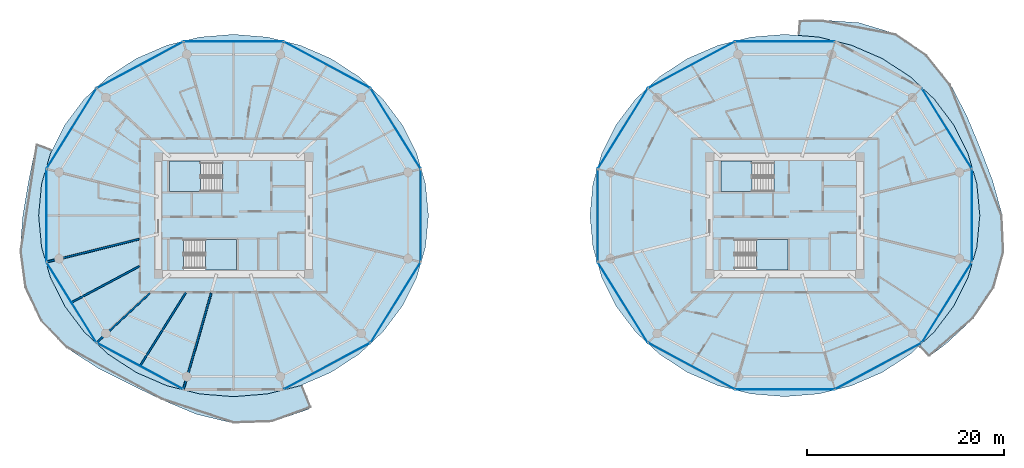
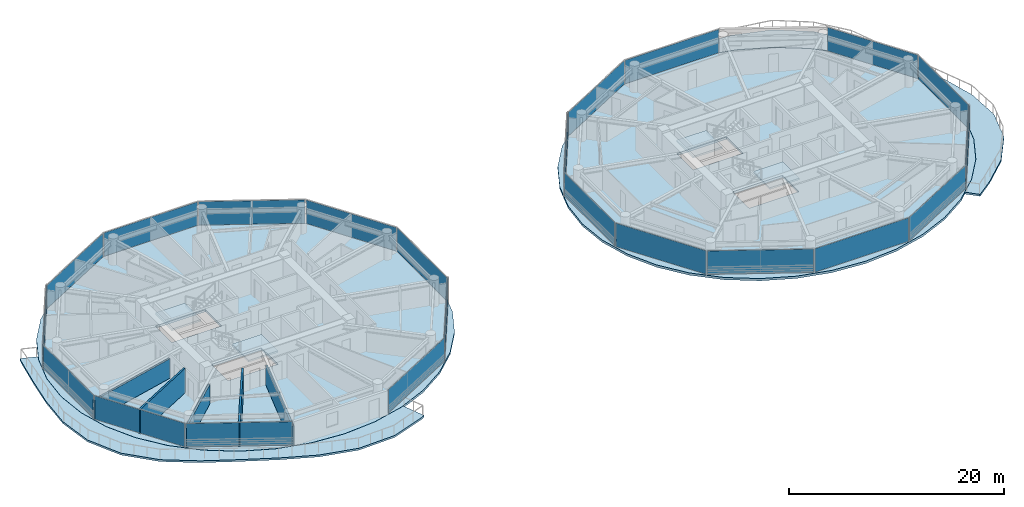
# One storey, part 14 of 27: 22 plates, 8 slabs, 5 walls, 26 elements without a shape of their own.
"""IFC4 building model written with IfcOpenShell, lengths in metres."""

from ifc_helpers import new_model, si_unit, direction, frame, frame_2d, origin, origin_2d, place, context, subcontext, project, spatial, polyline, rectangle, outline, extrude, source, transform, mapped, material, layer, layer_set, type_object, type_shapes, element, aggregate, save


model = new_model("IFC4")

# Units and contexts
model_context = context("Model", 3, precision=1e-05, world=origin(), true_north=direction((0.0, 1.0)))
body_context = subcontext(model_context, "Body", "Model", "MODEL_VIEW")
ifc_project = project(units=[si_unit("LENGTHUNIT", "METRE"), si_unit("AREAUNIT", "SQUARE_METRE"), si_unit("VOLUMEUNIT", "CUBIC_METRE"), si_unit("PLANEANGLEUNIT", "RADIAN"), si_unit("MASSUNIT", "GRAM", prefix="KILO")], contexts=[model_context])

# Site, building, storey
site_placement = place(None, origin())
site = spatial("IfcSite", under=ifc_project, at=site_placement, CompositionType="ELEMENT")
building_placement = place(site_placement, origin())
building = spatial("IfcBuilding", under=site, at=building_placement, Name="Norrkilde Senior Care Towers", CompositionType="ELEMENT")
storey_placement = place(building_placement, frame((0.0, 0.0, 46.0)))
storey = spatial("IfcBuildingStorey", under=building, at=storey_placement, Name="L13", CompositionType="ELEMENT", Elevation=46.0)

# Slabs
ifc_material_1 = material(Name="Concrete C50/60", Category="concrete")
ifc_layer_1 = layer(ifc_material_1, 0.215087890625)
ifc_layer_set_1 = layer_set([ifc_layer_1], Name="Concrete C50/60")
slab_type_1 = type_object("IfcSlabType", Name="Sinusoidal Balcony Ribbon Slab 215", PredefinedType="FLOOR", material=ifc_layer_set_1)
slab_1_placement = place(storey_placement, frame((0.0, 0.0, -0.215087890625)))
element("IfcSlab", 1, at=slab_1_placement, inside=storey, type_object=slab_type_1, Name="L13 Drum W Swirling Senior Balcony 1", PredefinedType="FLOOR", context=body_context, shape_type="SweptSolid", body=[
    extrude(outline(polyline([(-24.093994140625, -20.974853515625), (-28.0, -21.100830078125), (-31.777587890625, -20.19091796875), (-35.257080078125, -18.724853515625), (-38.546142578125, -17.139404296875), (-41.81005859375, -15.484130859375), (-44.96044921875, -13.446044921875), (-47.578369140625, -10.71044921875), (-49.196533203125, -7.307861328125), (-49.69287109375, -3.611328125), (-49.406494140625, 0.0), (-48.825927734375, 3.44677734375), (-48.140380859375, 6.89404296875), (-48.027587890625, 7.270751953125), (-46.414794921875, 6.685302734375), (-46.610595703125, 6.294921875), (-47.504150390625, 3.196044921875), (-47.804931640625, 0.0), (-47.504150390625, -3.196044921875), (-46.610595703125, -6.294921875), (-45.151611328125, -9.202392578125), (-43.171630859375, -11.83056640625), (-40.73046875, -14.09912109375), (-37.902587890625, -15.939208984375), (-34.773681640625, -17.294921875), (-31.439208984375, -18.12548828125), (-28.0, -18.405029296875), (-24.560791015625, -18.12548828125), (-21.226318359375, -17.294921875), (-21.016845703125, -17.204345703125), (-20.0927734375, -19.4814453125), (-20.41552734375, -19.6923828125), (-24.093994140625, -20.974853515625)])), origin(), (0.0, 0.0, 1.0), 0.215087890625),
])
slab_2_placement = place(storey_placement, frame((0.0, 0.0, -0.215087890625)))
element("IfcSlab", 2, at=slab_2_placement, inside=storey, type_object=slab_type_1, Name="L13 Drum E Swirling Senior Balcony 1", PredefinedType="FLOOR", context=body_context, shape_type="SweptSolid", body=[
    extrude(outline(polyline([(47.15576171875, -10.44775390625), (44.43994140625, -12.97607421875), (42.644775390625, -14.342041015625), (41.585205078125, -13.3046875), (43.171630859375, -11.83056640625), (45.151611328125, -9.202392578125), (46.610595703125, -6.294921875), (47.504150390625, -3.196044921875), (47.804931640625, 0.0), (47.504150390625, 3.196044921875), (46.610595703125, 6.294921875), (45.151611328125, 9.202392578125), (43.171630859375, 11.83056640625), (40.73046875, 14.09912109375), (37.902587890625, 15.939208984375), (34.773681640625, 17.294921875), (31.439208984375, 18.12548828125), (29.352783203125, 18.294921875), (29.464111328125, 19.802978515625), (31.722900390625, 19.8583984375), (35.5458984375, 19.578369140625), (39.253173828125, 18.456787109375), (42.43798828125, 16.289306640625), (44.824951171875, 13.32373046875), (46.51171875, 10.0478515625), (47.86328125, 6.78564453125), (49.1181640625, 3.502197265625), (50.086181640625, 0.0), (50.25927734375, -3.71875), (49.253662109375, -7.330078125), (47.15576171875, -10.44775390625)])), origin(), (0.0, 0.0, 1.0), 0.215087890625),
])

# Stair, slab
ifc_material_2 = material(Name="Concrete C45/55", Category="concrete")
stair_type = type_object("IfcStairType", Name="Core Protected Dogleg Stair Typical 3050", PredefinedType="HALF_TURN_STAIR", material=ifc_material_2)
stair_1_placement = place(storey_placement, origin())
stair_1 = element("IfcStair", 3, at=stair_1_placement, inside=storey, type_object=stair_type, Name="L13 Protected Core Stair W1", PredefinedType="HALF_TURN_STAIR")
ifc_layer_2 = layer(ifc_material_2, 0.199951171875)
ifc_layer_set_2 = layer_set([ifc_layer_2], Name="Concrete C45/55")
slab_type_2 = type_object("IfcSlabType", Name="Stair Landing Slab 200", PredefinedType="LANDING", material=ifc_layer_set_2)
slab_3_placement = place(storey_placement, frame((0.0, 0.0, 1.324951171875)))
slab_3 = element("IfcSlab", 4, at=slab_3_placement, type_object=slab_type_2, Name="ST-W1 landing 1", PredefinedType="LANDING", context=body_context, shape_type="SweptSolid", body=[
    extrude(outline(polyline([(-31.340087890625, 5.52490234375), (-34.5, 5.52490234375), (-34.5, 2.449951171875), (-31.340087890625, 2.449951171875), (-31.340087890625, 5.52490234375)])), origin(), (0.0, 0.0, 1.0), 0.199951171875),
])
aggregate(stair_1, [slab_3])

stair_2_placement = place(storey_placement, origin())
stair_2 = element("IfcStair", 5, at=stair_2_placement, inside=storey, type_object=stair_type, Name="L13 Protected Core Stair W2", PredefinedType="HALF_TURN_STAIR")
slab_4_placement = place(storey_placement, frame((0.0, 0.0, 1.324951171875)))
slab_4 = element("IfcSlab", 6, at=slab_4_placement, type_object=slab_type_2, Name="ST-W2 landing 1", PredefinedType="LANDING", context=body_context, shape_type="SweptSolid", body=[
    extrude(outline(polyline([(-30.860107421875, -5.52490234375), (-27.699951171875, -5.52490234375), (-27.699951171875, -2.449951171875), (-30.860107421875, -2.449951171875), (-30.860107421875, -5.52490234375)])), origin(), (0.0, 0.0, 1.0), 0.199951171875),
])
aggregate(stair_2, [slab_4])

stair_3_placement = place(storey_placement, origin())
stair_3 = element("IfcStair", 7, at=stair_3_placement, inside=storey, type_object=stair_type, Name="L13 Protected Core Stair E1", PredefinedType="HALF_TURN_STAIR")
slab_5_placement = place(storey_placement, frame((0.0, 0.0, 1.324951171875)))
slab_5 = element("IfcSlab", 8, at=slab_5_placement, type_object=slab_type_2, Name="ST-E1 landing 1", PredefinedType="LANDING", context=body_context, shape_type="SweptSolid", body=[
    extrude(outline(polyline([(24.659912109375, 5.52490234375), (21.5, 5.52490234375), (21.5, 2.449951171875), (24.659912109375, 2.449951171875), (24.659912109375, 5.52490234375)])), origin(), (0.0, 0.0, 1.0), 0.199951171875),
])
aggregate(stair_3, [slab_5])

stair_4_placement = place(storey_placement, origin())
stair_4 = element("IfcStair", 9, at=stair_4_placement, inside=storey, type_object=stair_type, Name="L13 Protected Core Stair E2", PredefinedType="HALF_TURN_STAIR")
slab_6_placement = place(storey_placement, frame((0.0, 0.0, 1.324951171875)))
slab_6 = element("IfcSlab", 10, at=slab_6_placement, type_object=slab_type_2, Name="ST-E2 landing 1", PredefinedType="LANDING", context=body_context, shape_type="SweptSolid", body=[
    extrude(outline(polyline([(25.139892578125, -5.52490234375), (28.300048828125, -5.52490234375), (28.300048828125, -2.449951171875), (25.139892578125, -2.449951171875), (25.139892578125, -5.52490234375)])), origin(), (0.0, 0.0, 1.0), 0.199951171875),
])
aggregate(stair_4, [slab_6])

# Slabs
ifc_layer_3 = layer(ifc_material_1, 0.260009765625)
ifc_layer_set_3 = layer_set([ifc_layer_3], Name="Concrete C50/60")
slab_type_3 = type_object("IfcSlabType", Name="Tower Care Floor Slab 260", PredefinedType="FLOOR", material=ifc_layer_set_3)
slab_7_placement = place(storey_placement, frame((0.0, 0.0, -0.260009765625)))
element("IfcSlab", 11, at=slab_7_placement, inside=storey, type_object=slab_type_3, Name="L13 Drum W Structural Floor Slab", PredefinedType="FLOOR", context=body_context, shape_type="SweptSolid", body=[
    extrude(outline(polyline([(-9.39404296875, -6.293212890625), (-10.852783203125, -9.199951171875), (-12.832275390625, -11.827392578125), (-15.272705078125, -14.09521484375), (-18.10009765625, -15.934814453125), (-21.22802734375, -17.290283203125), (-24.561767578125, -18.120361328125), (-28.0, -18.39990234375), (-31.438232421875, -18.120361328125), (-34.77197265625, -17.290283203125), (-37.89990234375, -15.934814453125), (-40.727294921875, -14.09521484375), (-43.167724609375, -11.827392578125), (-45.147216796875, -9.199951171875), (-46.60595703125, -6.293212890625), (-47.499267578125, -3.195068359375), (-47.800048828125, 0.0), (-47.499267578125, 3.195068359375), (-46.60595703125, 6.293212890625), (-45.147216796875, 9.199951171875), (-43.167724609375, 11.827392578125), (-40.727294921875, 14.09521484375), (-37.89990234375, 15.934814453125), (-34.77197265625, 17.290283203125), (-31.438232421875, 18.120361328125), (-28.0, 18.39990234375), (-24.561767578125, 18.120361328125), (-21.22802734375, 17.290283203125), (-18.10009765625, 15.934814453125), (-15.272705078125, 14.09521484375), (-12.832275390625, 11.827392578125), (-10.852783203125, 9.199951171875), (-9.39404296875, 6.293212890625), (-8.500732421875, 3.195068359375), (-8.199951171875, 0.0), (-8.500732421875, -3.195068359375), (-9.39404296875, -6.293212890625)]), holes=[polyline([(-34.48193359375, 2.468017578125), (-29.117919921875, 2.468017578125), (-29.117919921875, 5.52490234375), (-34.48193359375, 5.52490234375), (-34.48193359375, 2.468017578125)]), polyline([(-27.718017578125, -5.52490234375), (-27.718017578125, -2.468017578125), (-33.08203125, -2.468017578125), (-33.08203125, -5.52490234375), (-27.718017578125, -5.52490234375)])]), origin(), (0.0, 0.0, 1.0), 0.260009765625),
])
slab_8_placement = place(storey_placement, frame((0.0, 0.0, -0.260009765625)))
element("IfcSlab", 12, at=slab_8_placement, inside=storey, type_object=slab_type_3, Name="L13 Drum E Structural Floor Slab", PredefinedType="FLOOR", context=body_context, shape_type="SweptSolid", body=[
    extrude(outline(polyline([(46.60595703125, -6.293212890625), (45.147216796875, -9.199951171875), (43.167724609375, -11.827392578125), (40.727294921875, -14.09521484375), (37.89990234375, -15.934814453125), (34.77197265625, -17.290283203125), (31.438232421875, -18.120361328125), (28.0, -18.39990234375), (24.561767578125, -18.120361328125), (21.22802734375, -17.290283203125), (18.10009765625, -15.934814453125), (15.272705078125, -14.09521484375), (12.832275390625, -11.827392578125), (10.852783203125, -9.199951171875), (9.39404296875, -6.293212890625), (8.500732421875, -3.195068359375), (8.199951171875, 0.0), (8.500732421875, 3.195068359375), (9.39404296875, 6.293212890625), (10.852783203125, 9.199951171875), (12.832275390625, 11.827392578125), (15.272705078125, 14.09521484375), (18.10009765625, 15.934814453125), (21.22802734375, 17.290283203125), (24.561767578125, 18.120361328125), (28.0, 18.39990234375), (31.438232421875, 18.120361328125), (34.77197265625, 17.290283203125), (37.89990234375, 15.934814453125), (40.727294921875, 14.09521484375), (43.167724609375, 11.827392578125), (45.147216796875, 9.199951171875), (46.60595703125, 6.293212890625), (47.499267578125, 3.195068359375), (47.800048828125, 0.0), (47.499267578125, -3.195068359375), (46.60595703125, -6.293212890625)]), holes=[polyline([(21.51806640625, 2.468017578125), (26.882080078125, 2.468017578125), (26.882080078125, 5.52490234375), (21.51806640625, 5.52490234375), (21.51806640625, 2.468017578125)]), polyline([(28.281982421875, -5.52490234375), (28.281982421875, -2.468017578125), (22.91796875, -2.468017578125), (22.91796875, -5.52490234375), (28.281982421875, -5.52490234375)])]), origin(), (0.0, 0.0, 1.0), 0.260009765625),
])

# Curtain wall, plate
ifc_material_3 = material(Name="Triple Low-E Insulated Glazing", Category="glass")
ifc_layer_4 = layer(ifc_material_3, 0.199951171875)
ifc_layer_set_4 = layer_set([ifc_layer_4], Name="Triple Low-E Insulated Glazing")
curtain_wall_type = type_object("IfcCurtainWallType", Name="CW2 Zone 1 Memory Care Curtain Wall", PredefinedType="NOTDEFINED", material=ifc_layer_set_4)
curtain_wall_1_placement = place(storey_placement, origin())
curtain_wall_1 = element("IfcCurtainWall", 13, at=curtain_wall_1_placement, inside=storey, type_object=curtain_wall_type, Name="L13 Drum W Curtain Wall 00", PredefinedType="NOTDEFINED")
ifc_layer_5 = layer(ifc_material_3, 0.035888671875)
ifc_layer_set_5 = layer_set([ifc_layer_5], Name="Triple Low-E Insulated Glazing")
plate_type = type_object("IfcPlateType", Name="Triple Low-E Vision Curtain Panel 36", PredefinedType="CURTAIN_PANEL", material=ifc_layer_set_5)
shared_shape_1 = source(origin(), body_context, "Body", "SweptSolid", [
    extrude(rectangle(XDim=9.518798828125, YDim=0.035888671875, at=origin_2d()), origin(), (0.0, 0.0, 1.0), 2.669921875),
])
plate_1_placement = place(storey_placement, frame((-11.537353515625, 8.82861328125, 0.06005859375), z_axis=(0.0, 0.0, 1.0), x_axis=(0.527900951871, -0.849305943117, 0.0)))
plate_1 = element("IfcPlate", 14, at=plate_1_placement, type_object=plate_type, Name="CW-2 panel 1.1", PredefinedType="CURTAIN_PANEL", context=body_context, shape_type="MappedRepresentation", body=[
    mapped(shared_shape_1, transform((0.0, 0.0, 0.0), x_axis=(1.0, 0.0, 0.0), y_axis=(0.0, 1.0, 0.0), z_axis=(0.0, 0.0, 1.0), scale=1.0)),
])
aggregate(curtain_wall_1, [plate_1])

curtain_wall_2_placement = place(storey_placement, origin())
curtain_wall_2 = element("IfcCurtainWall", 15, at=curtain_wall_2_placement, inside=storey, type_object=curtain_wall_type, Name="L13 Drum W Curtain Wall 04", PredefinedType="NOTDEFINED")
plate_2_placement = place(storey_placement, frame((-44.462646484375, 8.82861328125, 0.06005859375), z_axis=(0.0, 0.0, 1.0), x_axis=(0.527900951871, 0.849305943117, 0.0)))
plate_2 = element("IfcPlate", 16, at=plate_2_placement, type_object=plate_type, Name="CW-2 panel 1.1", PredefinedType="CURTAIN_PANEL", context=body_context, shape_type="MappedRepresentation", body=[
    mapped(shared_shape_1, transform((0.0, 0.0, 0.0), x_axis=(1.0, 0.0, 0.0), y_axis=(0.0, 1.0, 0.0), z_axis=(0.0, 0.0, 1.0), scale=1.0)),
])
aggregate(curtain_wall_2, [plate_2])

curtain_wall_3_placement = place(storey_placement, origin())
curtain_wall_3 = element("IfcCurtainWall", 17, at=curtain_wall_3_placement, inside=storey, type_object=curtain_wall_type, Name="L13 Drum W Curtain Wall 06", PredefinedType="NOTDEFINED")
plate_3_placement = place(storey_placement, frame((-44.462646484375, -8.82861328125, 0.06005859375), z_axis=(0.0, 0.0, 1.0), x_axis=(-0.527900951871, 0.849305943117, 0.0)))
plate_3 = element("IfcPlate", 18, at=plate_3_placement, type_object=plate_type, Name="CW-2 panel 1.1", PredefinedType="CURTAIN_PANEL", context=body_context, shape_type="MappedRepresentation", body=[
    mapped(shared_shape_1, transform((0.0, 0.0, 0.0), x_axis=(1.0, 0.0, 0.0), y_axis=(0.0, 1.0, 0.0), z_axis=(0.0, 0.0, 1.0), scale=1.0)),
])
aggregate(curtain_wall_3, [plate_3])

curtain_wall_4_placement = place(storey_placement, origin())
curtain_wall_4 = element("IfcCurtainWall", 19, at=curtain_wall_4_placement, inside=storey, type_object=curtain_wall_type, Name="L13 Drum W Curtain Wall 10", PredefinedType="NOTDEFINED")
plate_4_placement = place(storey_placement, frame((-11.537353515625, -8.82861328125, 0.06005859375), z_axis=(0.0, 0.0, 1.0), x_axis=(-0.527900951871, -0.849305943117, 0.0)))
plate_4 = element("IfcPlate", 20, at=plate_4_placement, type_object=plate_type, Name="CW-2 panel 1.1", PredefinedType="CURTAIN_PANEL", context=body_context, shape_type="MappedRepresentation", body=[
    mapped(shared_shape_1, transform((0.0, 0.0, 0.0), x_axis=(1.0, 0.0, 0.0), y_axis=(0.0, 1.0, 0.0), z_axis=(0.0, 0.0, 1.0), scale=1.0)),
])
aggregate(curtain_wall_4, [plate_4])

curtain_wall_5_placement = place(storey_placement, origin())
curtain_wall_5 = element("IfcCurtainWall", 21, at=curtain_wall_5_placement, inside=storey, type_object=curtain_wall_type, Name="L13 Drum E Curtain Wall 00", PredefinedType="NOTDEFINED")
plate_5_placement = place(storey_placement, frame((44.462646484375, 8.82861328125, 0.06005859375), z_axis=(0.0, 0.0, 1.0), x_axis=(0.527900951871, -0.849305943117, 0.0)))
plate_5 = element("IfcPlate", 22, at=plate_5_placement, type_object=plate_type, Name="CW-2 panel 1.1", PredefinedType="CURTAIN_PANEL", context=body_context, shape_type="MappedRepresentation", body=[
    mapped(shared_shape_1, transform((0.0, 0.0, 0.0), x_axis=(1.0, 0.0, 0.0), y_axis=(0.0, 1.0, 0.0), z_axis=(0.0, 0.0, 1.0), scale=1.0)),
])
aggregate(curtain_wall_5, [plate_5])

curtain_wall_6_placement = place(storey_placement, origin())
curtain_wall_6 = element("IfcCurtainWall", 23, at=curtain_wall_6_placement, inside=storey, type_object=curtain_wall_type, Name="L13 Drum E Curtain Wall 04", PredefinedType="NOTDEFINED")
plate_6_placement = place(storey_placement, frame((11.537353515625, 8.82861328125, 0.06005859375), z_axis=(0.0, 0.0, 1.0), x_axis=(0.527900951871, 0.849305943117, 0.0)))
plate_6 = element("IfcPlate", 24, at=plate_6_placement, type_object=plate_type, Name="CW-2 panel 1.1", PredefinedType="CURTAIN_PANEL", context=body_context, shape_type="MappedRepresentation", body=[
    mapped(shared_shape_1, transform((0.0, 0.0, 0.0), x_axis=(1.0, 0.0, 0.0), y_axis=(0.0, 1.0, 0.0), z_axis=(0.0, 0.0, 1.0), scale=1.0)),
])
aggregate(curtain_wall_6, [plate_6])

curtain_wall_7_placement = place(storey_placement, origin())
curtain_wall_7 = element("IfcCurtainWall", 25, at=curtain_wall_7_placement, inside=storey, type_object=curtain_wall_type, Name="L13 Drum E Curtain Wall 06", PredefinedType="NOTDEFINED")
plate_7_placement = place(storey_placement, frame((11.537353515625, -8.82861328125, 0.06005859375), z_axis=(0.0, 0.0, 1.0), x_axis=(-0.527900951871, 0.849305943117, 0.0)))
plate_7 = element("IfcPlate", 26, at=plate_7_placement, type_object=plate_type, Name="CW-2 panel 1.1", PredefinedType="CURTAIN_PANEL", context=body_context, shape_type="MappedRepresentation", body=[
    mapped(shared_shape_1, transform((0.0, 0.0, 0.0), x_axis=(1.0, 0.0, 0.0), y_axis=(0.0, 1.0, 0.0), z_axis=(0.0, 0.0, 1.0), scale=1.0)),
])
aggregate(curtain_wall_7, [plate_7])

curtain_wall_8_placement = place(storey_placement, origin())
curtain_wall_8 = element("IfcCurtainWall", 27, at=curtain_wall_8_placement, inside=storey, type_object=curtain_wall_type, Name="L13 Drum E Curtain Wall 10", PredefinedType="NOTDEFINED")
plate_8_placement = place(storey_placement, frame((44.462646484375, -8.82861328125, 0.06005859375), z_axis=(0.0, 0.0, 1.0), x_axis=(-0.527900951871, -0.849305943117, 0.0)))
plate_8 = element("IfcPlate", 28, at=plate_8_placement, type_object=plate_type, Name="CW-2 panel 1.1", PredefinedType="CURTAIN_PANEL", context=body_context, shape_type="MappedRepresentation", body=[
    mapped(shared_shape_1, transform((0.0, 0.0, 0.0), x_axis=(1.0, 0.0, 0.0), y_axis=(0.0, 1.0, 0.0), z_axis=(0.0, 0.0, 1.0), scale=1.0)),
])
aggregate(curtain_wall_8, [plate_8])

curtain_wall_9_placement = place(storey_placement, origin())
curtain_wall_9 = element("IfcCurtainWall", 29, at=curtain_wall_9_placement, inside=storey, type_object=curtain_wall_type, Name="L13 Drum W Curtain Wall 01", PredefinedType="NOTDEFINED")
shared_shape_2 = source(origin(), body_context, "Body", "SweptSolid", [
    extrude(rectangle(XDim=9.880859375, YDim=0.035888671875, at=origin_2d()), origin(), (0.0, 0.0, 1.0), 2.669921875),
])
plate_9_placement = place(storey_placement, frame((-18.495361328125, 15.29150390625, 0.06005859375), z_axis=(0.0, 0.0, 1.0), x_axis=(0.881272866403, -0.472607802456, 0.0)))
plate_9 = element("IfcPlate", 30, at=plate_9_placement, type_object=plate_type, Name="CW-2 panel 1.1", PredefinedType="CURTAIN_PANEL", context=body_context, shape_type="MappedRepresentation", body=[
    mapped(shared_shape_2, transform((0.0, 0.0, 0.0), x_axis=(1.0, 0.0, 0.0), y_axis=(0.0, 1.0, 0.0), z_axis=(0.0, 0.0, 1.0), scale=1.0)),
])
aggregate(curtain_wall_9, [plate_9])

curtain_wall_10_placement = place(storey_placement, origin())
curtain_wall_10 = element("IfcCurtainWall", 31, at=curtain_wall_10_placement, inside=storey, type_object=curtain_wall_type, Name="L13 Drum W Curtain Wall 03", PredefinedType="NOTDEFINED")
plate_10_placement = place(storey_placement, frame((-37.504638671875, 15.29150390625, 0.06005859375), z_axis=(0.0, 0.0, 1.0), x_axis=(0.881272866403, 0.472607802456, 0.0)))
plate_10 = element("IfcPlate", 32, at=plate_10_placement, type_object=plate_type, Name="CW-2 panel 1.1", PredefinedType="CURTAIN_PANEL", context=body_context, shape_type="MappedRepresentation", body=[
    mapped(shared_shape_2, transform((0.0, 0.0, 0.0), x_axis=(1.0, 0.0, 0.0), y_axis=(0.0, 1.0, 0.0), z_axis=(0.0, 0.0, 1.0), scale=1.0)),
])
aggregate(curtain_wall_10, [plate_10])

curtain_wall_11_placement = place(storey_placement, origin())
curtain_wall_11 = element("IfcCurtainWall", 33, at=curtain_wall_11_placement, inside=storey, type_object=curtain_wall_type, Name="L13 Drum W Curtain Wall 07", PredefinedType="NOTDEFINED")
plate_11_placement = place(storey_placement, frame((-37.504638671875, -15.29150390625, 0.06005859375), z_axis=(0.0, 0.0, 1.0), x_axis=(-0.881272866403, 0.472607802456, 0.0)))
plate_11 = element("IfcPlate", 34, at=plate_11_placement, type_object=plate_type, Name="CW-2 panel 1.1", PredefinedType="CURTAIN_PANEL", context=body_context, shape_type="MappedRepresentation", body=[
    mapped(shared_shape_2, transform((0.0, 0.0, 0.0), x_axis=(1.0, 0.0, 0.0), y_axis=(0.0, 1.0, 0.0), z_axis=(0.0, 0.0, 1.0), scale=1.0)),
])
aggregate(curtain_wall_11, [plate_11])

curtain_wall_12_placement = place(storey_placement, origin())
curtain_wall_12 = element("IfcCurtainWall", 35, at=curtain_wall_12_placement, inside=storey, type_object=curtain_wall_type, Name="L13 Drum W Curtain Wall 09", PredefinedType="NOTDEFINED")
plate_12_placement = place(storey_placement, frame((-18.495361328125, -15.29150390625, 0.06005859375), z_axis=(0.0, 0.0, 1.0), x_axis=(-0.881272866403, -0.472607802456, 0.0)))
plate_12 = element("IfcPlate", 36, at=plate_12_placement, type_object=plate_type, Name="CW-2 panel 1.1", PredefinedType="CURTAIN_PANEL", context=body_context, shape_type="MappedRepresentation", body=[
    mapped(shared_shape_2, transform((0.0, 0.0, 0.0), x_axis=(1.0, 0.0, 0.0), y_axis=(0.0, 1.0, 0.0), z_axis=(0.0, 0.0, 1.0), scale=1.0)),
])
aggregate(curtain_wall_12, [plate_12])

curtain_wall_13_placement = place(storey_placement, origin())
curtain_wall_13 = element("IfcCurtainWall", 37, at=curtain_wall_13_placement, inside=storey, type_object=curtain_wall_type, Name="L13 Drum E Curtain Wall 03", PredefinedType="NOTDEFINED")
plate_13_placement = place(storey_placement, frame((18.495361328125, 15.29150390625, 0.06005859375), z_axis=(0.0, 0.0, 1.0), x_axis=(0.881272866403, 0.472607802456, 0.0)))
plate_13 = element("IfcPlate", 38, at=plate_13_placement, type_object=plate_type, Name="CW-2 panel 1.1", PredefinedType="CURTAIN_PANEL", context=body_context, shape_type="MappedRepresentation", body=[
    mapped(shared_shape_2, transform((0.0, 0.0, 0.0), x_axis=(1.0, 0.0, 0.0), y_axis=(0.0, 1.0, 0.0), z_axis=(0.0, 0.0, 1.0), scale=1.0)),
])
aggregate(curtain_wall_13, [plate_13])

curtain_wall_14_placement = place(storey_placement, origin())
curtain_wall_14 = element("IfcCurtainWall", 39, at=curtain_wall_14_placement, inside=storey, type_object=curtain_wall_type, Name="L13 Drum E Curtain Wall 07", PredefinedType="NOTDEFINED")
plate_14_placement = place(storey_placement, frame((18.495361328125, -15.29150390625, 0.06005859375), z_axis=(0.0, 0.0, 1.0), x_axis=(-0.881272866403, 0.472607802456, 0.0)))
plate_14 = element("IfcPlate", 40, at=plate_14_placement, type_object=plate_type, Name="CW-2 panel 1.1", PredefinedType="CURTAIN_PANEL", context=body_context, shape_type="MappedRepresentation", body=[
    mapped(shared_shape_2, transform((0.0, 0.0, 0.0), x_axis=(1.0, 0.0, 0.0), y_axis=(0.0, 1.0, 0.0), z_axis=(0.0, 0.0, 1.0), scale=1.0)),
])
aggregate(curtain_wall_14, [plate_14])

curtain_wall_15_placement = place(storey_placement, origin())
curtain_wall_15 = element("IfcCurtainWall", 41, at=curtain_wall_15_placement, inside=storey, type_object=curtain_wall_type, Name="L13 Drum E Curtain Wall 09", PredefinedType="NOTDEFINED")
plate_15_placement = place(storey_placement, frame((37.504638671875, -15.29150390625, 0.06005859375), z_axis=(0.0, 0.0, 1.0), x_axis=(-0.881272866403, -0.472607802456, 0.0)))
plate_15 = element("IfcPlate", 42, at=plate_15_placement, type_object=plate_type, Name="CW-2 panel 1.1", PredefinedType="CURTAIN_PANEL", context=body_context, shape_type="MappedRepresentation", body=[
    mapped(shared_shape_2, transform((0.0, 0.0, 0.0), x_axis=(1.0, 0.0, 0.0), y_axis=(0.0, 1.0, 0.0), z_axis=(0.0, 0.0, 1.0), scale=1.0)),
])
aggregate(curtain_wall_15, [plate_15])

curtain_wall_16_placement = place(storey_placement, origin())
curtain_wall_16 = element("IfcCurtainWall", 43, at=curtain_wall_16_placement, inside=storey, type_object=curtain_wall_type, Name="L13 Drum W Curtain Wall 05", PredefinedType="NOTDEFINED")
shared_shape_3 = source(origin(), body_context, "Body", "SweptSolid", [
    extrude(rectangle(XDim=9.33251953125, YDim=0.035888671875, at=origin_2d()), origin(), (0.0, 0.0, 1.0), 2.669921875),
])
plate_16_placement = place(storey_placement, frame((-47.009521484375, 0.0, 0.06005859375), z_axis=(0.0, 0.0, 1.0), x_axis=(0.0, 1.0, 0.0)))
plate_16 = element("IfcPlate", 44, at=plate_16_placement, type_object=plate_type, Name="CW-2 panel 1.1", PredefinedType="CURTAIN_PANEL", context=body_context, shape_type="MappedRepresentation", body=[
    mapped(shared_shape_3, transform((0.0, 0.0, 0.0), x_axis=(1.0, 0.0, 0.0), y_axis=(0.0, 1.0, 0.0), z_axis=(0.0, 0.0, 1.0), scale=1.0)),
])
aggregate(curtain_wall_16, [plate_16])

curtain_wall_17_placement = place(storey_placement, origin())
curtain_wall_17 = element("IfcCurtainWall", 45, at=curtain_wall_17_placement, inside=storey, type_object=curtain_wall_type, Name="L13 Drum W Curtain Wall 11", PredefinedType="NOTDEFINED")
plate_17_placement = place(storey_placement, frame((-8.990478515625, 0.0, 0.06005859375), z_axis=(0.0, 0.0, 1.0), x_axis=(0.0, -1.0, 0.0)))
plate_17 = element("IfcPlate", 46, at=plate_17_placement, type_object=plate_type, Name="CW-2 panel 1.1", PredefinedType="CURTAIN_PANEL", context=body_context, shape_type="MappedRepresentation", body=[
    mapped(shared_shape_3, transform((0.0, 0.0, 0.0), x_axis=(1.0, 0.0, 0.0), y_axis=(0.0, 1.0, 0.0), z_axis=(0.0, 0.0, 1.0), scale=1.0)),
])
aggregate(curtain_wall_17, [plate_17])

curtain_wall_18_placement = place(storey_placement, origin())
curtain_wall_18 = element("IfcCurtainWall", 47, at=curtain_wall_18_placement, inside=storey, type_object=curtain_wall_type, Name="L13 Drum E Curtain Wall 05", PredefinedType="NOTDEFINED")
plate_18_placement = place(storey_placement, frame((8.990478515625, 0.0, 0.06005859375), z_axis=(0.0, 0.0, 1.0), x_axis=(0.0, 1.0, 0.0)))
plate_18 = element("IfcPlate", 48, at=plate_18_placement, type_object=plate_type, Name="CW-2 panel 1.1", PredefinedType="CURTAIN_PANEL", context=body_context, shape_type="MappedRepresentation", body=[
    mapped(shared_shape_3, transform((0.0, 0.0, 0.0), x_axis=(1.0, 0.0, 0.0), y_axis=(0.0, 1.0, 0.0), z_axis=(0.0, 0.0, 1.0), scale=1.0)),
])
aggregate(curtain_wall_18, [plate_18])

curtain_wall_19_placement = place(storey_placement, origin())
curtain_wall_19 = element("IfcCurtainWall", 49, at=curtain_wall_19_placement, inside=storey, type_object=curtain_wall_type, Name="L13 Drum E Curtain Wall 11", PredefinedType="NOTDEFINED")
plate_19_placement = place(storey_placement, frame((47.009521484375, 0.0, 0.06005859375), z_axis=(0.0, 0.0, 1.0), x_axis=(0.0, -1.0, 0.0)))
plate_19 = element("IfcPlate", 50, at=plate_19_placement, type_object=plate_type, Name="CW-2 panel 1.1", PredefinedType="CURTAIN_PANEL", context=body_context, shape_type="MappedRepresentation", body=[
    mapped(shared_shape_3, transform((0.0, 0.0, 0.0), x_axis=(1.0, 0.0, 0.0), y_axis=(0.0, 1.0, 0.0), z_axis=(0.0, 0.0, 1.0), scale=1.0)),
])
aggregate(curtain_wall_19, [plate_19])

curtain_wall_20_placement = place(storey_placement, origin())
curtain_wall_20 = element("IfcCurtainWall", 51, at=curtain_wall_20_placement, inside=storey, type_object=curtain_wall_type, Name="L13 Drum W Curtain Wall 02", PredefinedType="NOTDEFINED")
shared_shape_4 = source(origin(), body_context, "Body", "SweptSolid", [
    extrude(rectangle(XDim=10.05712890625, YDim=0.035888671875, at=origin_2d()), origin(), (0.0, 0.0, 1.0), 2.669921875),
])
type_shapes(plate_type, [shared_shape_1, shared_shape_2, shared_shape_3, shared_shape_4])
plate_20_placement = place(storey_placement, frame((-28.0, 17.6572265625, 0.06005859375), z_axis=(0.0, 0.0, 1.0), x_axis=(1.0, 0.0, 0.0)))
plate_20 = element("IfcPlate", 52, at=plate_20_placement, type_object=plate_type, Name="CW-2 panel 1.1", PredefinedType="CURTAIN_PANEL", context=body_context, shape_type="MappedRepresentation", body=[
    mapped(shared_shape_4, transform((0.0, 0.0, 0.0), x_axis=(1.0, 0.0, 0.0), y_axis=(0.0, 1.0, 0.0), z_axis=(0.0, 0.0, 1.0), scale=1.0)),
])
aggregate(curtain_wall_20, [plate_20])

curtain_wall_21_placement = place(storey_placement, origin())
curtain_wall_21 = element("IfcCurtainWall", 53, at=curtain_wall_21_placement, inside=storey, type_object=curtain_wall_type, Name="L13 Drum E Curtain Wall 02", PredefinedType="NOTDEFINED")
plate_21_placement = place(storey_placement, frame((28.0, 17.6572265625, 0.06005859375), z_axis=(0.0, 0.0, 1.0), x_axis=(1.0, 0.0, 0.0)))
plate_21 = element("IfcPlate", 54, at=plate_21_placement, type_object=plate_type, Name="CW-2 panel 1.1", PredefinedType="CURTAIN_PANEL", context=body_context, shape_type="MappedRepresentation", body=[
    mapped(shared_shape_4, transform((0.0, 0.0, 0.0), x_axis=(1.0, 0.0, 0.0), y_axis=(0.0, 1.0, 0.0), z_axis=(0.0, 0.0, 1.0), scale=1.0)),
])
aggregate(curtain_wall_21, [plate_21])

curtain_wall_22_placement = place(storey_placement, origin())
curtain_wall_22 = element("IfcCurtainWall", 55, at=curtain_wall_22_placement, inside=storey, type_object=curtain_wall_type, Name="L13 Drum E Curtain Wall 08", PredefinedType="NOTDEFINED")
plate_22_placement = place(storey_placement, frame((28.0, -17.6572265625, 0.06005859375), z_axis=(0.0, 0.0, 1.0), x_axis=(-1.0, 0.0, 0.0)))
plate_22 = element("IfcPlate", 56, at=plate_22_placement, type_object=plate_type, Name="CW-2 panel 1.1", PredefinedType="CURTAIN_PANEL", context=body_context, shape_type="MappedRepresentation", body=[
    mapped(shared_shape_4, transform((0.0, 0.0, 0.0), x_axis=(1.0, 0.0, 0.0), y_axis=(0.0, 1.0, 0.0), z_axis=(0.0, 0.0, 1.0), scale=1.0)),
])
aggregate(curtain_wall_22, [plate_22])

# Walls
ifc_material_4 = material(Name="Gypsum Acoustic Board")
ifc_layer_6 = layer(ifc_material_4, 0.18994140625)
ifc_layer_set_6 = layer_set([ifc_layer_6], Name="Gypsum Acoustic Board")
wall_type = type_object("IfcWallType", Name="Unit Demising Acoustic Wall 190", PredefinedType="PARTITIONING", material=ifc_layer_set_6)
shared_shape_5 = source(origin(), body_context, "Body", "SweptSolid", [
    extrude(rectangle(XDim=7.4345703125, YDim=0.18994140625, at=frame_2d((3.71728515625, 0.0))), origin(), (0.0, 0.0, 1.0), 2.22509765625),
])
wall_1_placement = place(storey_placement, frame((-36.48291015625, -7.8798828125, 0.0), z_axis=(0.0, 0.0, 1.0), x_axis=(-0.732651956848, -0.680603489652, 0.0)))
element("IfcWall", 57, at=wall_1_placement, inside=storey, type_object=wall_type, Name="WL-INT-L13-W-DEM-07-0", PredefinedType="PARTITIONING", context=body_context, shape_type="MappedRepresentation", body=[
    mapped(shared_shape_5, transform((0.0, 0.0, 0.0), x_axis=(1.0, 0.0, 0.0), y_axis=(0.0, 1.0, 0.0), z_axis=(0.0, 0.0, 1.0), scale=1.0)),
])
shared_shape_6 = source(origin(), body_context, "Body", "SweptSolid", [
    extrude(rectangle(XDim=10.196044921875, YDim=0.18994140625, at=frame_2d((5.09814453125, 0.0))), origin(), (0.0, 0.0, 1.0), 2.22509765625),
])
wall_2_placement = place(storey_placement, frame((-30.27294921875, -7.8798828125, 0.0), z_axis=(0.0, 0.0, 1.0), x_axis=(-0.277136420347, -0.960830580549, 0.0)))
element("IfcWall", 58, at=wall_2_placement, inside=storey, type_object=wall_type, Name="WL-INT-L13-W-DEM-08-0", PredefinedType="PARTITIONING", context=body_context, shape_type="MappedRepresentation", body=[
    mapped(shared_shape_6, transform((0.0, 0.0, 0.0), x_axis=(1.0, 0.0, 0.0), y_axis=(0.0, 1.0, 0.0), z_axis=(0.0, 0.0, 1.0), scale=1.0)),
])
shared_shape_7 = source(origin(), body_context, "Body", "SweptSolid", [
    extrude(rectangle(XDim=9.737060546875, YDim=0.18994140625, at=frame_2d((4.86865234375, 0.0))), origin(), (0.0, 0.0, 1.0), 2.22509765625),
])
wall_3_placement = place(storey_placement, frame((-37.580078125, -2.384521484375, 0.0), z_axis=(0.0, 0.0, 1.0), x_axis=(-0.970392716238, -0.241532557375, 0.0)))
element("IfcWall", 59, at=wall_3_placement, inside=storey, type_object=wall_type, Name="WL-INT-L13-W-DEM-06-0", PredefinedType="PARTITIONING", context=body_context, shape_type="MappedRepresentation", body=[
    mapped(shared_shape_7, transform((0.0, 0.0, 0.0), x_axis=(1.0, 0.0, 0.0), y_axis=(0.0, 1.0, 0.0), z_axis=(0.0, 0.0, 1.0), scale=1.0)),
])
shared_shape_8 = source(origin(), body_context, "Body", "SweptSolid", [
    extrude(rectangle(XDim=7.873291015625, YDim=0.18994140625, at=frame_2d((3.9365234375, 0.0))), origin(), (0.0, 0.0, 1.0), 2.77490234375),
])
wall_4_placement = place(storey_placement, frame((-37.530029296875, -5.1376953125, 0.0), z_axis=(0.0, 0.0, 1.0), x_axis=(-0.882666052726, -0.470000680175, 0.0)))
element("IfcWall", 60, at=wall_4_placement, inside=storey, type_object=wall_type, Name="WL-INT-L13-W-MID-06", PredefinedType="PARTITIONING", context=body_context, shape_type="MappedRepresentation", body=[
    mapped(shared_shape_8, transform((0.0, 0.0, 0.0), x_axis=(1.0, 0.0, 0.0), y_axis=(0.0, 1.0, 0.0), z_axis=(0.0, 0.0, 1.0), scale=1.0)),
])
shared_shape_9 = source(origin(), body_context, "Body", "SweptSolid", [
    extrude(rectangle(XDim=8.818359375, YDim=0.18994140625, at=frame_2d((4.4091796875, 0.0))), origin(), (0.0, 0.0, 1.0), 2.77490234375),
])
type_shapes(wall_type, [shared_shape_5, shared_shape_6, shared_shape_7, shared_shape_8, shared_shape_9])
wall_5_placement = place(storey_placement, frame((-32.84130859375, -7.830078125, 0.0), z_axis=(0.0, 0.0, 1.0), x_axis=(-0.529931746109, -0.848040296487, 0.0)))
element("IfcWall", 61, at=wall_5_placement, inside=storey, type_object=wall_type, Name="WL-INT-L13-W-MID-07", PredefinedType="PARTITIONING", context=body_context, shape_type="MappedRepresentation", body=[
    mapped(shared_shape_9, transform((0.0, 0.0, 0.0), x_axis=(1.0, 0.0, 0.0), y_axis=(0.0, 1.0, 0.0), z_axis=(0.0, 0.0, 1.0), scale=1.0)),
])

save(model, "model.ifc")
